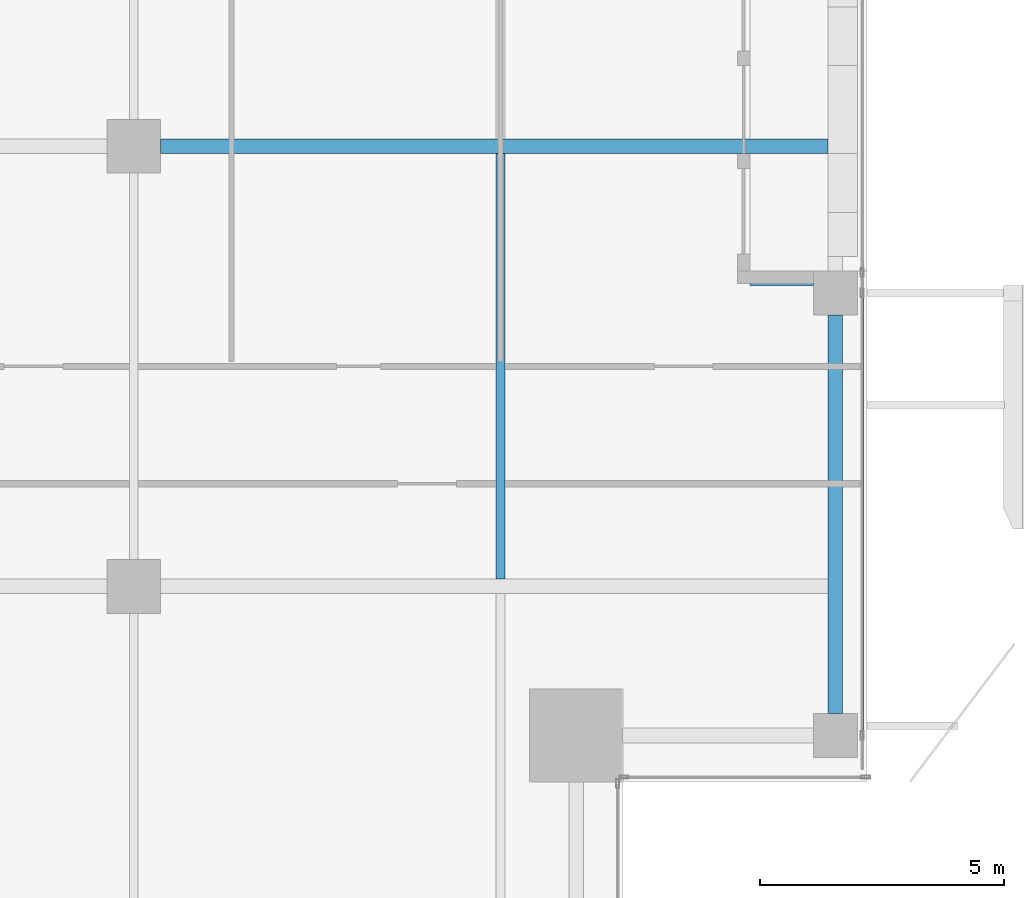
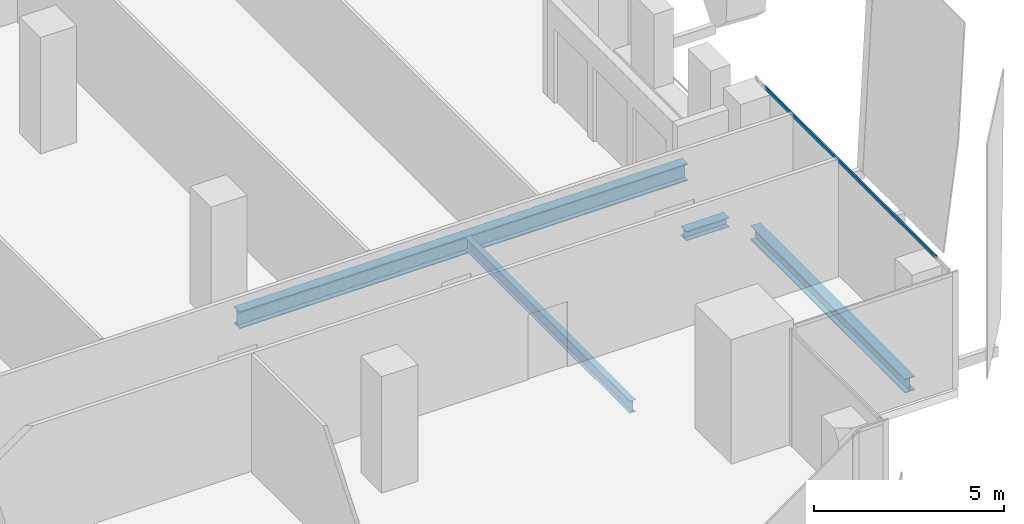
# One storey, part 10 of 35: 4 beams, 1 member, 1 element without a shape of its own.
"""IFC4 building model written with IfcOpenShell, lengths in metres."""

from ifc_helpers import new_model, si_unit, direction, frame, origin, origin_2d, place, context, subcontext, project, spatial, hollow_rectangle, i_section, extrude, source, transform, mapped, material, material_profile, profile_set, type_object, element, aggregate, save


model = new_model("IFC4")

# Units and contexts
model_context = context("Model", 3, precision=1e-05, world=origin(), true_north=direction((0.0, 1.0)))
body_context = subcontext(model_context, "Body", "Model", "MODEL_VIEW")
ifc_project = project(units=[si_unit("LENGTHUNIT", "METRE"), si_unit("AREAUNIT", "SQUARE_METRE"), si_unit("VOLUMEUNIT", "CUBIC_METRE"), si_unit("PLANEANGLEUNIT", "RADIAN"), si_unit("MASSUNIT", "GRAM", prefix="KILO")], contexts=[model_context])

# Site, building, storey
site_placement = place(None, origin())
site = spatial("IfcSite", under=ifc_project, at=site_placement, CompositionType="ELEMENT")
building_placement = place(site_placement, origin())
building = spatial("IfcBuilding", under=site, at=building_placement, Name="Khomas Fold Tower", CompositionType="ELEMENT")
storey_placement = place(building_placement, frame((0.0, 0.0, 258.199951171875)))
storey = spatial("IfcBuildingStorey", under=building, at=storey_placement, Name="L58", CompositionType="ELEMENT", Elevation=258.199951171875)

# Beams
ifc_material_1 = material(Name="Steel S355", Category="steel")
ifc_material_profile_1 = material_profile(ifc_material_1, i_section(OverallWidth=0.179931640625, OverallDepth=0.39990234375, WebThickness=0.008544921875, FlangeThickness=0.013427734375, at=origin_2d()), Name="IPE 400")
ifc_profile_set_1 = profile_set([ifc_material_profile_1], Name="Steel S355")
beam_type_1 = type_object("IfcBeamType", Name="IPE 400 beam JB3", PredefinedType="BEAM", material=ifc_profile_set_1)
shared_shape_1 = source(origin(), body_context, "Body", "SweptSolid", [
    extrude(i_section(OverallWidth=0.179931640625, OverallDepth=0.39990234375, WebThickness=0.008544921875, FlangeThickness=0.013427734375, at=origin_2d()), origin(), (0.0, 0.0, 1.0), 8.7001953125),
])
beam_1_placement = place(storey_placement, frame((42.0, 13.64990234375, -0.449951171875), z_axis=(0.0, 1.0, 0.0), x_axis=(-1.0, 0.0, 0.0)))
element("IfcBeam", 1, at=beam_1_placement, inside=storey, type_object=beam_type_1, Name="JB3", PredefinedType="BEAM", context=body_context, shape_type="MappedRepresentation", body=[
    mapped(shared_shape_1, transform((0.0, 0.0, 0.0))),
])
ifc_material_2 = material(Name="Steel S355", Category="steel")
ifc_material_profile_2 = material_profile(ifc_material_2, i_section(OverallWidth=0.300048828125, OverallDepth=0.449951171875, WebThickness=0.013916015625, FlangeThickness=0.02587890625, at=origin_2d()), Name="HE 450 B")
ifc_profile_set_2 = profile_set([ifc_material_profile_2], Name="Steel S355")
beam_type_2 = type_object("IfcBeamType", Name="HE 450 B spandrel SB4", PredefinedType="SPANDREL", material=ifc_profile_set_2)
shared_shape_2 = source(origin(), body_context, "Body", "SweptSolid", [
    extrude(i_section(OverallWidth=0.300048828125, OverallDepth=0.449951171875, WebThickness=0.013916015625, FlangeThickness=0.02587890625, at=origin_2d()), origin(), (0.0, 0.0, 1.0), 8.150146484375),
])
beam_2_placement = place(storey_placement, frame((48.85009765625, 10.89990234375, -0.474853515625), z_axis=(0.0, 1.0, 0.0), x_axis=(-1.0, 0.0, 0.0)))
element("IfcBeam", 2, at=beam_2_placement, inside=storey, type_object=beam_type_2, Name="SB4", PredefinedType="SPANDREL", context=body_context, shape_type="MappedRepresentation", body=[
    mapped(shared_shape_2, transform((0.0, 0.0, 0.0))),
])
ifc_material_3 = material(Name="Steel S355", Category="steel")
ifc_material_profile_3 = material_profile(ifc_material_3, i_section(OverallWidth=0.300048828125, OverallDepth=0.550048828125, WebThickness=0.014892578125, FlangeThickness=0.029052734375, at=origin_2d()), Name="HE 550 B")
ifc_profile_set_3 = profile_set([ifc_material_profile_3], Name="Steel S355")
beam_type_3 = type_object("IfcBeamType", Name="HE 550 B beam GB4", PredefinedType="BEAM", material=ifc_profile_set_3)
shared_shape_3 = source(origin(), body_context, "Body", "SweptSolid", [
    extrude(i_section(OverallWidth=0.300048828125, OverallDepth=0.550048828125, WebThickness=0.014892578125, FlangeThickness=0.029052734375, at=origin_2d()), origin(), (0.0, 0.0, 1.0), 13.64990234375),
])
beam_3_placement = place(storey_placement, frame((35.050048828125, 22.5, -0.52490234375), z_axis=(1.0, 0.0, 0.0), x_axis=(0.0, 1.0, 0.0)))
element("IfcBeam", 3, at=beam_3_placement, inside=storey, type_object=beam_type_3, Name="GB4", PredefinedType="BEAM", context=body_context, shape_type="MappedRepresentation", body=[
    mapped(shared_shape_3, transform((0.0, 0.0, 0.0))),
])
ifc_material_4 = material(Name="Steel S355", Category="steel")
ifc_material_profile_4 = material_profile(ifc_material_4, i_section(OverallWidth=0.300048828125, OverallDepth=0.300048828125, WebThickness=0.010986328125, FlangeThickness=0.01904296875, at=origin_2d()), Name="HE 300 B")
ifc_profile_set_4 = profile_set([ifc_material_profile_4], Name="Steel S355")
beam_type_4 = type_object("IfcBeamType", Name="HE 300 B beam BB1", PredefinedType="BEAM", material=ifc_profile_set_4)
shared_shape_4 = source(origin(), body_context, "Body", "SweptSolid", [
    extrude(i_section(OverallWidth=0.300048828125, OverallDepth=0.300048828125, WebThickness=0.010986328125, FlangeThickness=0.01904296875, at=origin_2d()), origin(), (0.0, 0.0, 1.0), 1.2998046875),
])
beam_4_placement = place(storey_placement, frame((47.10009765625, 19.800048828125, -0.39990234375), z_axis=(1.0, 0.0, 0.0), x_axis=(0.0, 1.0, 0.0)))
element("IfcBeam", 4, at=beam_4_placement, inside=storey, type_object=beam_type_4, Name="BB1", PredefinedType="BEAM", context=body_context, shape_type="MappedRepresentation", body=[
    mapped(shared_shape_4, transform((0.0, 0.0, 0.0))),
])

# Curtain wall, member
ifc_material_5 = material(Name="Aluminium framed double glazing", Category="aluminium")
curtain_wall_type = type_object("IfcCurtainWallType", Name="SK-Unitised clear-glass wall, office floors CW2", PredefinedType="NOTDEFINED", material=ifc_material_5)
curtain_wall_placement = place(storey_placement, origin())
curtain_wall = element("IfcCurtainWall", 5, at=curtain_wall_placement, inside=storey, type_object=curtain_wall_type, Name="CW2 run L58 03-0", PredefinedType="NOTDEFINED")
ifc_material_6 = material(Name="Aluminium", Category="aluminium")
ifc_material_profile_5 = material_profile(ifc_material_6, hollow_rectangle(XDim=0.050048828125, YDim=0.110107421875, WallThickness=0.00390625, at=origin_2d()), Name="SK-Unitised clear-glass wall, office floors transom CW2-T")
ifc_profile_set_5 = profile_set([ifc_material_profile_5], Name="Aluminium")
member_type = type_object("IfcMemberType", Name="SK-Unitised clear-glass wall, office floors transom CW2-T", PredefinedType="USERDEFINED", material=ifc_profile_set_5)
shared_shape_5 = source(origin(), body_context, "Body", "SweptSolid", [
    extrude(hollow_rectangle(XDim=0.050048828125, YDim=0.110107421875, WallThickness=0.00390625, at=origin_2d()), origin(), (0.0, 0.0, 1.0), 8.989990234375),
])
member_placement = place(storey_placement, frame((49.39990234375, 10.47998046875, 3.695068359375), z_axis=(0.0, 1.0, 0.0), x_axis=(-1.0, 0.0, 0.0)))
member = element("IfcMember", 6, at=member_placement, type_object=member_type, Name="CW2 transom 2", ObjectType="TRANSOM", PredefinedType="USERDEFINED", context=body_context, shape_type="MappedRepresentation", body=[
    mapped(shared_shape_5, transform((0.0, 0.0, 0.0))),
])
aggregate(curtain_wall, [member])

save(model, "model.ifc")
